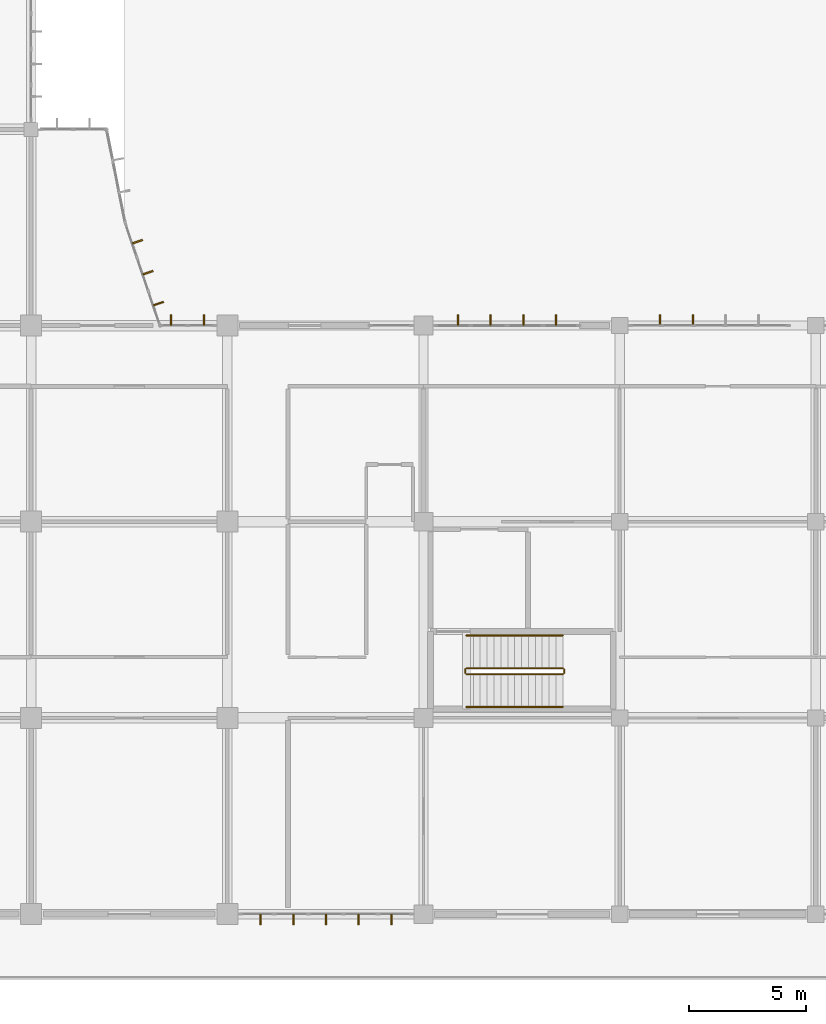
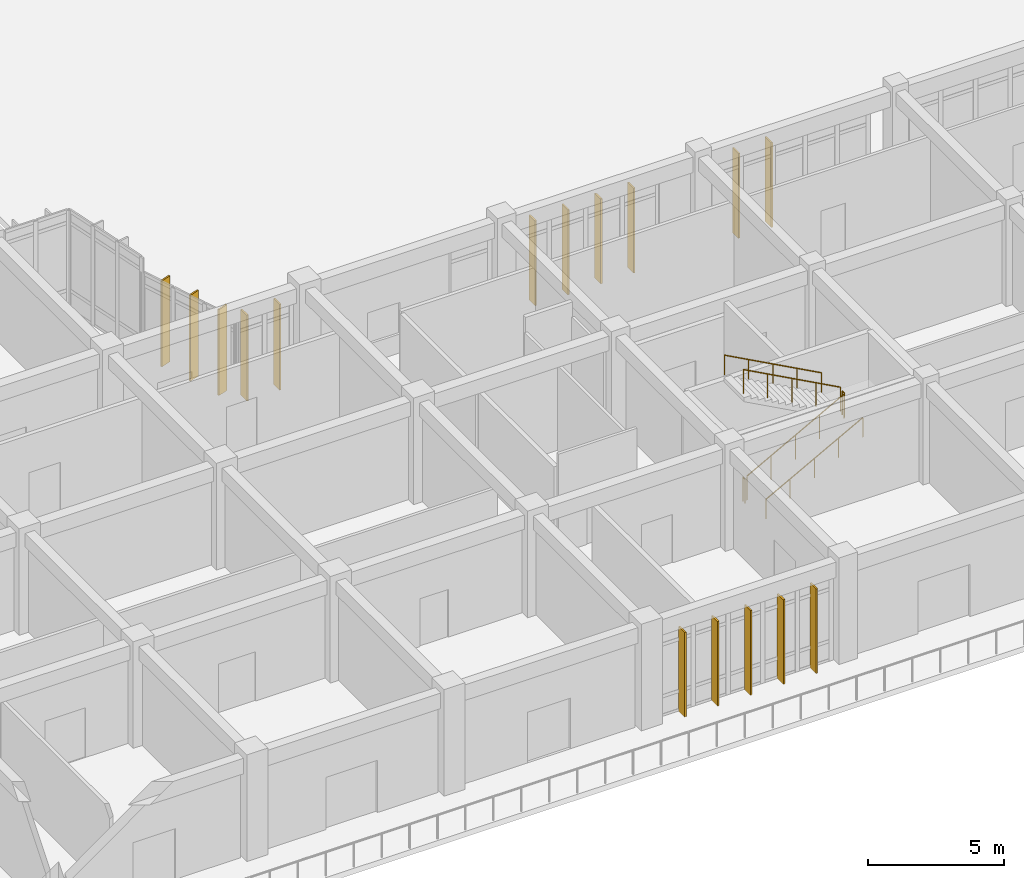
# One storey, part 131 of 138: 16 shading devices, 6 railings.
"""IFC4 building model written with IfcOpenShell, lengths in metres."""

from ifc_helpers import new_model, si_unit, direction, frame, origin, origin_2d, place, context, subcontext, project, spatial, rectangle, circle, extrude, material, material_profile, profile_set, type_object, element, save


model = new_model("IFC4")

# Units and contexts
model_context = context("Model", 3, precision=1e-05, world=origin(), true_north=direction((0.0, 1.0)))
body_context = subcontext(model_context, "Body", "Model", "MODEL_VIEW")
ifc_project = project(units=[si_unit("LENGTHUNIT", "METRE"), si_unit("AREAUNIT", "SQUARE_METRE"), si_unit("VOLUMEUNIT", "CUBIC_METRE"), si_unit("PLANEANGLEUNIT", "RADIAN"), si_unit("MASSUNIT", "GRAM", prefix="KILO")], contexts=[model_context])

# Site, building, storey
site_placement = place(None, origin())
site = spatial("IfcSite", under=ifc_project, at=site_placement, CompositionType="ELEMENT")
building_placement = place(site_placement, origin())
building = spatial("IfcBuilding", under=site, at=building_placement, Name="Bramfleet General Hospital", CompositionType="ELEMENT")
storey_placement = place(building_placement, origin())
storey = spatial("IfcBuildingStorey", under=building, at=storey_placement, Name="L00", CompositionType="ELEMENT", Elevation=0.0)

# Railings
ifc_material_1 = material(Name="Powder-coated steel stair balustrade", Category="steel")
railing_type_1 = type_object("IfcRailingType", Name="RAIL-ST-GUARD", PredefinedType="GUARDRAIL", material=ifc_material_1)
railing_1_placement = place(storey_placement, frame((144.639892578125, 10.27001953125, 0.159912109375)))
element("IfcRailing", 1, at=railing_1_placement, inside=storey, type_object=railing_type_1, Name="L00 ST-C10 stair guard 1", PredefinedType="GUARDRAIL", context=body_context, shape_type="SweptSolid", body=[
    extrude(circle(Radius=0.02392578125, at=origin_2d()), frame((0.0, 0.0, 1.076171875), z_axis=(0.879038868435, 0.0, 0.476750110415), x_axis=(0.0, 1.0, 0.0)), (0.0, 0.0, 1.0), 4.698486328125),
    extrude(circle(Radius=0.02099609375, at=origin_2d()), origin(), (0.0, 0.0, 1.0), 1.052001953125),
    extrude(circle(Radius=0.02099609375, at=origin_2d()), frame((1.032470703125, 0.0, 0.56005859375)), (0.0, 0.0, 1.0), 1.052001953125),
    extrude(circle(Radius=0.02099609375, at=origin_2d()), frame((2.06494140625, 0.0, 1.1201171875)), (0.0, 0.0, 1.0), 1.052001953125),
    extrude(circle(Radius=0.02099609375, at=origin_2d()), frame((3.09765625, 0.0, 1.679931640625)), (0.0, 0.0, 1.0), 1.052001953125),
    extrude(circle(Radius=0.02099609375, at=origin_2d()), frame((4.130126953125, 0.0, 2.239990234375)), (0.0, 0.0, 1.0), 1.052001953125),
])
railing_2_placement = place(storey_placement, frame((148.820068359375, 10.320068359375, 2.39990234375)))
element("IfcRailing", 2, at=railing_2_placement, inside=storey, type_object=railing_type_1, Name="L00 ST-C10 stair guard 2", PredefinedType="GUARDRAIL", context=body_context, shape_type="SweptSolid", body=[
    extrude(circle(Radius=0.02392578125, at=origin_2d()), frame((0.0, 0.0, 1.076171875), z_axis=(0.0, 1.0, 0.0), x_axis=(-1.0, 0.0, 0.0)), (0.0, 0.0, 1.0), 0.159912109375),
    extrude(circle(Radius=0.02099609375, at=origin_2d()), origin(), (0.0, 0.0, 1.0), 1.052001953125),
    extrude(circle(Radius=0.02099609375, at=origin_2d()), frame((0.0, 0.159912109375, 0.0)), (0.0, 0.0, 1.0), 1.052001953125),
])
railing_3_placement = place(storey_placement, frame((148.77001953125, 10.530029296875, 2.56005859375)))
element("IfcRailing", 3, at=railing_3_placement, inside=storey, type_object=railing_type_1, Name="L00 ST-C10 stair guard 3", PredefinedType="GUARDRAIL", context=body_context, shape_type="SweptSolid", body=[
    extrude(circle(Radius=0.02392578125, at=origin_2d()), frame((0.0, 0.0, 1.076171875), z_axis=(-0.879038868435, 0.0, 0.476750110415), x_axis=(0.0, -1.0, 0.0)), (0.0, 0.0, 1.0), 4.698486328125),
    extrude(circle(Radius=0.02099609375, at=origin_2d()), origin(), (0.0, 0.0, 1.0), 1.052001953125),
    extrude(circle(Radius=0.02099609375, at=origin_2d()), frame((-1.032470703125, 0.0, 0.56005859375)), (0.0, 0.0, 1.0), 1.052001953125),
    extrude(circle(Radius=0.02099609375, at=origin_2d()), frame((-2.06494140625, 0.0, 1.1201171875)), (0.0, 0.0, 1.0), 1.052001953125),
    extrude(circle(Radius=0.02099609375, at=origin_2d()), frame((-3.09765625, 0.0, 1.679931640625)), (0.0, 0.0, 1.0), 1.052001953125),
    extrude(circle(Radius=0.02099609375, at=origin_2d()), frame((-4.130126953125, 0.0, 2.239990234375)), (0.0, 0.0, 1.0), 1.052001953125),
])
railing_4_placement = place(storey_placement, frame((144.590087890625, 10.320068359375, 0.0)))
element("IfcRailing", 4, at=railing_4_placement, inside=storey, type_object=railing_type_1, Name="L00 ST-C10 stair guard 4", PredefinedType="GUARDRAIL", context=body_context, shape_type="SweptSolid", body=[
    extrude(circle(Radius=0.02392578125, at=origin_2d()), frame((0.0, 0.0, 1.076171875), z_axis=(0.0, 1.0, 0.0), x_axis=(-1.0, 0.0, 0.0)), (0.0, 0.0, 1.0), 0.159912109375),
    extrude(circle(Radius=0.02099609375, at=origin_2d()), origin(), (0.0, 0.0, 1.0), 1.052001953125),
    extrude(circle(Radius=0.02099609375, at=origin_2d()), frame((0.0, 0.159912109375, 0.0)), (0.0, 0.0, 1.0), 1.052001953125),
])
ifc_material_2 = material(Name="Stainless steel 1.4301 stair handrail", Category="steel")
railing_type_2 = type_object("IfcRailingType", Name="RAIL-ST-HND", PredefinedType="HANDRAIL", material=ifc_material_2)
railing_5_placement = place(storey_placement, frame((144.639892578125, 8.8701171875, 0.159912109375)))
element("IfcRailing", 5, at=railing_5_placement, inside=storey, type_object=railing_type_2, Name="L00 ST-C10 stair handrail 1", PredefinedType="HANDRAIL", context=body_context, shape_type="SweptSolid", body=[
    extrude(circle(Radius=0.02392578125, at=origin_2d()), frame((0.0, 0.0, 0.8759765625), z_axis=(0.879038868435, 0.0, 0.476750110415), x_axis=(0.0, 1.0, 0.0)), (0.0, 0.0, 1.0), 4.698486328125),
    extrude(circle(Radius=0.02099609375, at=origin_2d()), origin(), (0.0, 0.0, 1.0), 0.851806640625),
    extrude(circle(Radius=0.02099609375, at=origin_2d()), frame((1.032470703125, 0.0, 0.56005859375)), (0.0, 0.0, 1.0), 0.851806640625),
    extrude(circle(Radius=0.02099609375, at=origin_2d()), frame((2.06494140625, 0.0, 1.1201171875)), (0.0, 0.0, 1.0), 0.851806640625),
    extrude(circle(Radius=0.02099609375, at=origin_2d()), frame((3.09765625, 0.0, 1.679931640625)), (0.0, 0.0, 1.0), 0.851806640625),
    extrude(circle(Radius=0.02099609375, at=origin_2d()), frame((4.130126953125, 0.0, 2.239990234375)), (0.0, 0.0, 1.0), 0.851806640625),
])
railing_6_placement = place(storey_placement, frame((148.77001953125, 11.929931640625, 2.56005859375)))
element("IfcRailing", 6, at=railing_6_placement, inside=storey, type_object=railing_type_2, Name="L00 ST-C10 stair handrail 2", PredefinedType="HANDRAIL", context=body_context, shape_type="SweptSolid", body=[
    extrude(circle(Radius=0.02392578125, at=origin_2d()), frame((0.0, 0.0, 0.8759765625), z_axis=(-0.879038868435, 0.0, 0.476750110415), x_axis=(0.0, -1.0, 0.0)), (0.0, 0.0, 1.0), 4.698486328125),
    extrude(circle(Radius=0.02099609375, at=origin_2d()), origin(), (0.0, 0.0, 1.0), 0.851806640625),
    extrude(circle(Radius=0.02099609375, at=origin_2d()), frame((-1.032470703125, 0.0, 0.56005859375)), (0.0, 0.0, 1.0), 0.851806640625),
    extrude(circle(Radius=0.02099609375, at=origin_2d()), frame((-2.06494140625, 0.0, 1.1201171875)), (0.0, 0.0, 1.0), 0.851806640625),
    extrude(circle(Radius=0.02099609375, at=origin_2d()), frame((-3.09765625, 0.0, 1.679931640625)), (0.0, 0.0, 1.0), 0.851806640625),
    extrude(circle(Radius=0.02099609375, at=origin_2d()), frame((-4.130126953125, 0.0, 2.239990234375)), (0.0, 0.0, 1.0), 0.851806640625),
])

# Shading devices
ifc_material_3 = material(Name="Treated European larch timber", Category="wood")
ifc_material_profile = material_profile(ifc_material_3, rectangle(XDim=0.06494140625, YDim=0.449951171875, at=origin_2d()), Name="LARCH FIN 450x65")
ifc_profile_set = profile_set([ifc_material_profile], Name="Treated European larch timber")
shading_device_type = type_object("IfcShadingDeviceType", Name="SHD-FIN-450", PredefinedType="USERDEFINED", material=ifc_profile_set)
for number, where, z_axis, x_axis, name in (
    (7, (130.555908203125, 28.79150390625, -0.02001953125), (0.0, 0.0, 1.0), (0.321285950829, -0.94698222676, 0.0), "L00 Larch Timber Shading Fin 91"),
    (8, (131.005859375, 27.465576171875, -0.02001953125), (0.0, 0.0, 1.0), (0.321285950829, -0.94698222676, 0.0), "L00 Larch Timber Shading Fin 92"),
    (9, (131.45556640625, 26.139892578125, -0.02001953125), (0.0, 0.0, 1.0), (0.321285950829, -0.94698222676, 0.0), "L00 Larch Timber Shading Fin 93"),
    (10, (131.998046875, 25.43994140625, -0.02001953125), (0.0, 0.0, 1.0), (1.0, 0.0, 0.0), "L00 Larch Timber Shading Fin 94"),
    (11, (133.39794921875, 25.43994140625, -0.02001953125), (0.0, 0.0, 1.0), (1.0, 0.0, 0.0), "L00 Larch Timber Shading Fin 95"),
):
    element("IfcShadingDevice", number, at=place(storey_placement, frame(where, z_axis=z_axis, x_axis=x_axis)), inside=storey, type_object=shading_device_type, Name=name, ObjectType="Fin", PredefinedType="USERDEFINED", context=body_context, shape_type="SweptSolid", body=[
        extrude(rectangle(XDim=0.06494140625, YDim=0.449951171875, at=origin_2d()), origin(), (0.0, 0.0, 1.0), 3.8701171875),
    ])
for number, where, z_axis, x_axis, name in (
    (12, (144.27392578125, 25.43994140625, -0.02001953125), (0.0, 0.0, 1.0), (1.0, 0.0, 0.0), "L00 Larch Timber Shading Fin 96"),
    (13, (145.674072265625, 25.43994140625, -0.02001953125), (0.0, 0.0, 1.0), (1.0, 0.0, 0.0), "L00 Larch Timber Shading Fin 97"),
    (14, (147.073974609375, 25.43994140625, -0.02001953125), (0.0, 0.0, 1.0), (1.0, 0.0, 0.0), "L00 Larch Timber Shading Fin 98"),
    (15, (148.47412109375, 25.43994140625, -0.02001953125), (0.0, 0.0, 1.0), (1.0, 0.0, 0.0), "L00 Larch Timber Shading Fin 99"),
    (16, (152.9365234375, 25.43994140625, -0.02001953125), (0.0, 0.0, 1.0), (1.0, 0.0, 0.0), "L00 Larch Timber Shading Fin 100"),
    (17, (154.33642578125, 25.43994140625, -0.02001953125), (0.0, 0.0, 1.0), (1.0, 0.0, 0.0), "L00 Larch Timber Shading Fin 101"),
    (18, (141.425048828125, -0.239990234375, -0.02001953125), (0.0, 0.0, 1.0), (-1.0, 0.0, 0.0), "L00 Larch Timber Shading Fin 124"),
    (19, (140.02490234375, -0.239990234375, -0.02001953125), (0.0, 0.0, 1.0), (-1.0, 0.0, 0.0), "L00 Larch Timber Shading Fin 125"),
    (20, (138.625, -0.239990234375, -0.02001953125), (0.0, 0.0, 1.0), (-1.0, 0.0, 0.0), "L00 Larch Timber Shading Fin 126"),
    (21, (137.22509765625, -0.239990234375, -0.02001953125), (0.0, 0.0, 1.0), (-1.0, 0.0, 0.0), "L00 Larch Timber Shading Fin 127"),
    (22, (135.824951171875, -0.239990234375, -0.02001953125), (0.0, 0.0, 1.0), (-1.0, 0.0, 0.0), "L00 Larch Timber Shading Fin 128"),
):
    element("IfcShadingDevice", number, at=place(storey_placement, frame(where, z_axis=z_axis, x_axis=x_axis)), inside=storey, type_object=shading_device_type, Name=name, ObjectType="Fin", PredefinedType="USERDEFINED", context=body_context, shape_type="SweptSolid", body=[
        extrude(rectangle(XDim=0.06494140625, YDim=0.449951171875, at=origin_2d()), origin(), (0.0, 0.0, 1.0), 3.820068359375),
    ])

save(model, "model.ifc")
